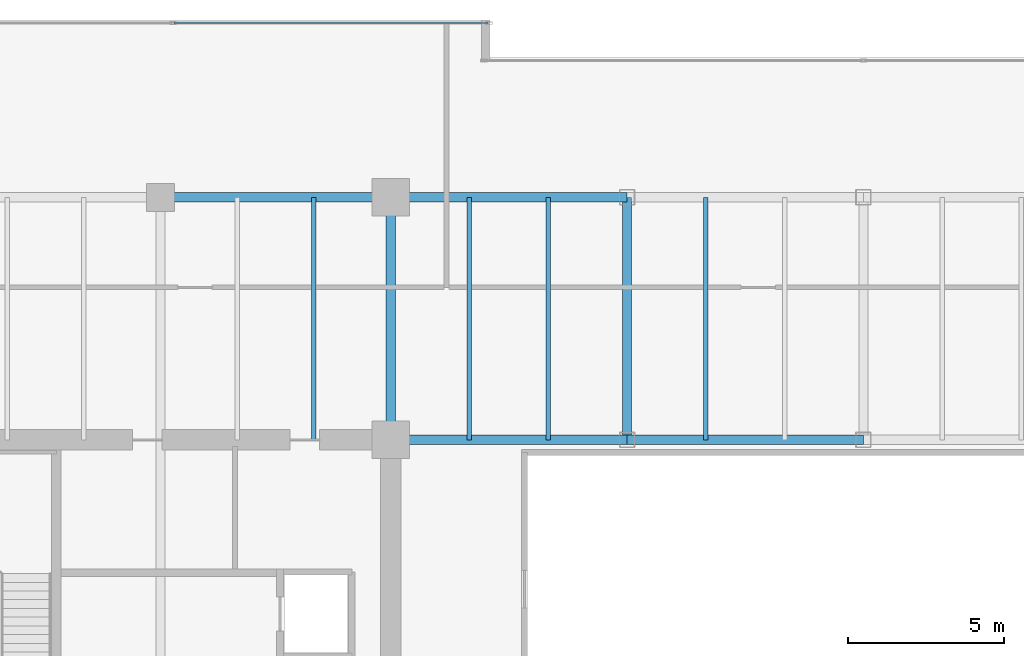
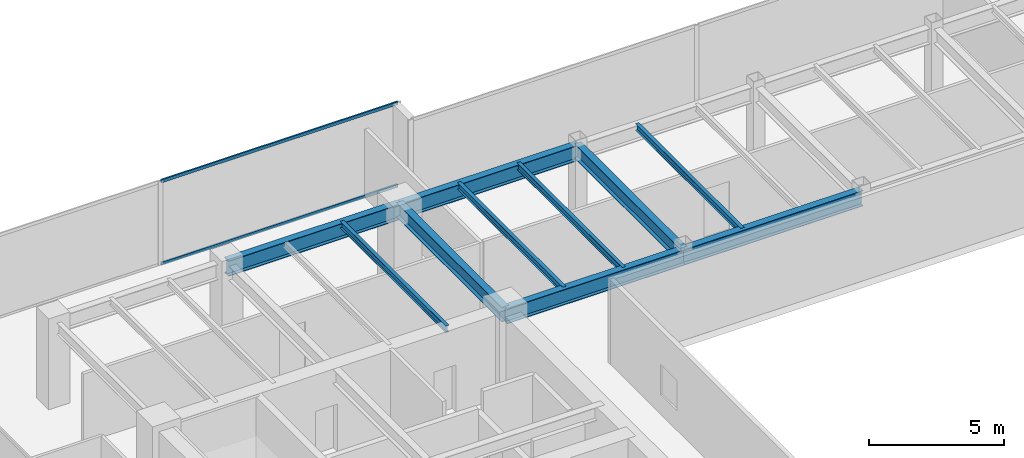
# One storey, part 15 of 30: 10 beams, 2 members, 1 element without a shape of its own.
"""IFC4 building model written with IfcOpenShell, lengths in metres."""

from ifc_helpers import new_model, si_unit, direction, frame, origin, origin_2d, place, context, subcontext, project, spatial, hollow_rectangle, i_section, extrude, source, transform, mapped, material, layer, layer_set, material_profile, profile_set, type_object, type_shapes, element, aggregate, save


model = new_model("IFC4")

# Units and contexts
model_context = context("Model", 3, precision=1e-05, world=origin(), true_north=direction((0.0, 1.0)))
body_context = subcontext(model_context, "Body", "Model", "MODEL_VIEW")
ifc_project = project(units=[si_unit("LENGTHUNIT", "METRE"), si_unit("AREAUNIT", "SQUARE_METRE"), si_unit("VOLUMEUNIT", "CUBIC_METRE"), si_unit("PLANEANGLEUNIT", "RADIAN"), si_unit("MASSUNIT", "GRAM", prefix="KILO")], contexts=[model_context])

# Site, building, storey
site_placement = place(None, origin())
site = spatial("IfcSite", under=ifc_project, at=site_placement, CompositionType="ELEMENT")
building_placement = place(site_placement, origin())
building = spatial("IfcBuilding", under=site, at=building_placement, Name="Haelvirn Gate Laboratories", CompositionType="ELEMENT")
storey_placement = place(building_placement, frame((0.0, 0.0, 129.699951171875)))
storey = spatial("IfcBuildingStorey", under=building, at=storey_placement, Name="L31", CompositionType="ELEMENT", Elevation=129.699951171875)

# Beams
ifc_material_1 = material(Name="Steel SM355", Category="steel")
ifc_material_profile_1 = material_profile(ifc_material_1, i_section(OverallWidth=0.300048828125, OverallDepth=0.64990234375, WebThickness=0.012939453125, FlangeThickness=0.02197265625, at=origin_2d()), Name="H-650x300x13x22")
ifc_profile_set_1 = profile_set([ifc_material_profile_1], Name="Steel SM355")
beam_type_1 = type_object("IfcBeamType", Name="BM-G-650", PredefinedType="BEAM", material=ifc_profile_set_1)
shared_shape_1 = source(origin(), body_context, "Body", "SweptSolid", [
    extrude(i_section(OverallWidth=0.300048828125, OverallDepth=0.64990234375, WebThickness=0.012939453125, FlangeThickness=0.02197265625, at=origin_2d()), origin(), (0.0, 0.0, 1.0), 7.800048828125),
])
type_shapes(beam_type_1, [shared_shape_1])
for number, where, z_axis, x_axis, name in (
    (1, (22.199951171875, 33.800048828125, 3.465087890625), (0.0, 1.0, 0.0), (-1.0, 0.0, 0.0), "L31 Frame Girder X22.2 (33.8-41.6)"),
    (2, (29.800048828125, 33.800048828125, 3.465087890625), (0.0, 1.0, 0.0), (-1.0, 0.0, 0.0), "L31 Frame Girder X29.8 (33.8-41.6)"),
):
    element("IfcBeam", number, at=place(storey_placement, frame(where, z_axis=z_axis, x_axis=x_axis)), inside=storey, type_object=beam_type_1, Name=name, PredefinedType="BEAM", context=body_context, shape_type="MappedRepresentation", body=[
        mapped(shared_shape_1, transform((0.0, 0.0, 0.0), scale=1.0)),
    ])
ifc_material_profile_2 = material_profile(ifc_material_1, i_section(OverallWidth=0.300048828125, OverallDepth=0.699951171875, WebThickness=0.012939453125, FlangeThickness=0.02392578125, at=origin_2d()), Name="H-700x300x13x24")
ifc_profile_set_2 = profile_set([ifc_material_profile_2], Name="Steel SM355")
beam_type_2 = type_object("IfcBeamType", Name="BM-G-700", PredefinedType="BEAM", material=ifc_profile_set_2)
shared_shape_2 = source(origin(), body_context, "Body", "SweptSolid", [
    extrude(i_section(OverallWidth=0.300048828125, OverallDepth=0.699951171875, WebThickness=0.012939453125, FlangeThickness=0.02392578125, at=origin_2d()), origin(), (0.0, 0.0, 1.0), 7.39990234375),
])
beam_1_placement = place(storey_placement, frame((14.800048828125, 41.60009765625, 3.43994140625), z_axis=(1.0, 0.0, 0.0), x_axis=(0.0, 1.0, 0.0)))
element("IfcBeam", 3, at=beam_1_placement, inside=storey, type_object=beam_type_2, Name="L31 Primary Girder Y41.6 (14.8-22.2)", PredefinedType="BEAM", context=body_context, shape_type="MappedRepresentation", body=[
    mapped(shared_shape_2, transform((0.0, 0.0, 0.0), scale=1.0)),
])
shared_shape_3 = source(origin(), body_context, "Body", "SweptSolid", [
    extrude(i_section(OverallWidth=0.300048828125, OverallDepth=0.699951171875, WebThickness=0.012939453125, FlangeThickness=0.02392578125, at=origin_2d()), origin(), (0.0, 0.0, 1.0), 7.60009765625),
])
for number, where, z_axis, x_axis, name in (
    (4, (22.199951171875, 33.800048828125, 3.43994140625), (1.0, 0.0, 0.0), (0.0, 1.0, 0.0), "L31 Primary Girder Y33.8 (22.2-29.8)"),
    (5, (22.199951171875, 41.60009765625, 3.43994140625), (1.0, 0.0, 0.0), (0.0, 1.0, 0.0), "L31 Primary Girder Y41.6 (22.2-29.8)"),
):
    element("IfcBeam", number, at=place(storey_placement, frame(where, z_axis=z_axis, x_axis=x_axis)), inside=storey, type_object=beam_type_2, Name=name, PredefinedType="BEAM", context=body_context, shape_type="MappedRepresentation", body=[
        mapped(shared_shape_3, transform((0.0, 0.0, 0.0), scale=1.0)),
    ])
shared_shape_4 = source(origin(), body_context, "Body", "SweptSolid", [
    extrude(i_section(OverallWidth=0.300048828125, OverallDepth=0.699951171875, WebThickness=0.012939453125, FlangeThickness=0.02392578125, at=origin_2d()), origin(), (0.0, 0.0, 1.0), 7.599853515625),
])
type_shapes(beam_type_2, [shared_shape_2, shared_shape_3, shared_shape_4])
beam_2_placement = place(storey_placement, frame((29.800048828125, 33.800048828125, 3.43994140625), z_axis=(1.0, 0.0, 0.0), x_axis=(0.0, 1.0, 0.0)))
element("IfcBeam", 6, at=beam_2_placement, inside=storey, type_object=beam_type_2, Name="L31 Primary Girder Y33.8 (29.8-37.4)", PredefinedType="BEAM", context=body_context, shape_type="MappedRepresentation", body=[
    mapped(shared_shape_4, transform((0.0, 0.0, 0.0), scale=1.0)),
])
ifc_material_profile_3 = material_profile(ifc_material_1, i_section(OverallWidth=0.14990234375, OverallDepth=0.300048828125, WebThickness=0.006591796875, FlangeThickness=0.009033203125, at=origin_2d()), Name="H-300x150x6.5x9")
ifc_profile_set_3 = profile_set([ifc_material_profile_3], Name="Steel SM355")
beam_type_3 = type_object("IfcBeamType", Name="BM-J-300", PredefinedType="JOIST", material=ifc_profile_set_3)
shared_shape_5 = source(origin(), body_context, "Body", "SweptSolid", [
    extrude(i_section(OverallWidth=0.14990234375, OverallDepth=0.300048828125, WebThickness=0.006591796875, FlangeThickness=0.009033203125, at=origin_2d()), origin(), (0.0, 0.0, 1.0), 7.800048828125),
])
type_shapes(beam_type_3, [shared_shape_5])
for number, where, z_axis, x_axis, name in (
    (7, (19.72998046875, 33.800048828125, 3.64013671875), (0.0, 1.0, 0.0), (-1.0, 0.0, 0.0), "L31 Composite Lab Joist North X19.73"),
    (8, (24.72998046875, 33.800048828125, 3.64013671875), (0.0, 1.0, 0.0), (-1.0, 0.0, 0.0), "L31 Composite Lab Joist North X24.73"),
    (9, (27.27001953125, 33.800048828125, 3.64013671875), (0.0, 1.0, 0.0), (-1.0, 0.0, 0.0), "L31 Composite Lab Joist North X27.27"),
    (10, (32.330078125, 33.800048828125, 3.64013671875), (0.0, 1.0, 0.0), (-1.0, 0.0, 0.0), "L31 Composite Lab Joist North X32.33"),
):
    element("IfcBeam", number, at=place(storey_placement, frame(where, z_axis=z_axis, x_axis=x_axis)), inside=storey, type_object=beam_type_3, Name=name, PredefinedType="JOIST", context=body_context, shape_type="MappedRepresentation", body=[
        mapped(shared_shape_5, transform((0.0, 0.0, 0.0), scale=1.0)),
    ])

# Curtain wall, members
ifc_material_2 = material(Name="Anodised bronze unitised aluminium & triple low-E glass", Category="aluminium")
ifc_layer = layer(ifc_material_2, 0.179931640625, Name="CW-SYS-3")
ifc_layer_set = layer_set([ifc_layer], Name="Anodised bronze unitised aluminium & triple low-E glass")
curtain_wall_type = type_object("IfcCurtainWallType", Name="CW-SYS-3", PredefinedType="NOTDEFINED", material=ifc_layer_set)
curtain_wall_placement = place(storey_placement, origin())
curtain_wall = element("IfcCurtainWall", 11, at=curtain_wall_placement, inside=storey, type_object=curtain_wall_type, Name="L31 Unitised Curtain Wall CW-L31-P0-E14-1", PredefinedType="NOTDEFINED")
ifc_material_3 = material(Name="Extruded aluminium 6063-T6 (anodised bronze)", Category="aluminium")
ifc_material_profile_4 = material_profile(ifc_material_3, hollow_rectangle(XDim=0.06494140625, YDim=0.139892578125, WallThickness=0.00390625, at=origin_2d()), Name="CWT-140x65x4")
ifc_profile_set_4 = profile_set([ifc_material_profile_4], Name="Extruded aluminium 6063-T6 (anodised bronze)")
member_type = type_object("IfcMemberType", Name="CWT-T140", PredefinedType="USERDEFINED", material=ifc_profile_set_4)
shared_shape_6 = source(origin(), body_context, "Body", "SweptSolid", [
    extrude(hollow_rectangle(XDim=0.06494140625, YDim=0.139892578125, WallThickness=0.00390625, at=origin_2d()), origin(), (0.0, 0.0, 1.0), 10.08740234375),
])
type_shapes(member_type, [shared_shape_6])
member_1_placement = place(storey_placement, frame((15.237548828125, 47.199951171875, 0.032470703125), z_axis=(1.0, 0.0, 0.0), x_axis=(0.0, 1.0, 0.0)))
member_1 = element("IfcMember", 12, at=member_1_placement, type_object=member_type, Name="CW3 transom 2.1", ObjectType="TRANSOM", PredefinedType="USERDEFINED", context=body_context, shape_type="MappedRepresentation", body=[
    mapped(shared_shape_6, transform((0.0, 0.0, 0.0), scale=1.0)),
])
member_2_placement = place(storey_placement, frame((15.237548828125, 47.199951171875, 3.757568359375), z_axis=(1.0, 0.0, 0.0), x_axis=(0.0, 1.0, 0.0)))
member_2 = element("IfcMember", 13, at=member_2_placement, type_object=member_type, Name="CW3 transom 2.2", ObjectType="TRANSOM", PredefinedType="USERDEFINED", context=body_context, shape_type="MappedRepresentation", body=[
    mapped(shared_shape_6, transform((0.0, 0.0, 0.0), scale=1.0)),
])
aggregate(curtain_wall, [member_1, member_2])

save(model, "model.ifc")
